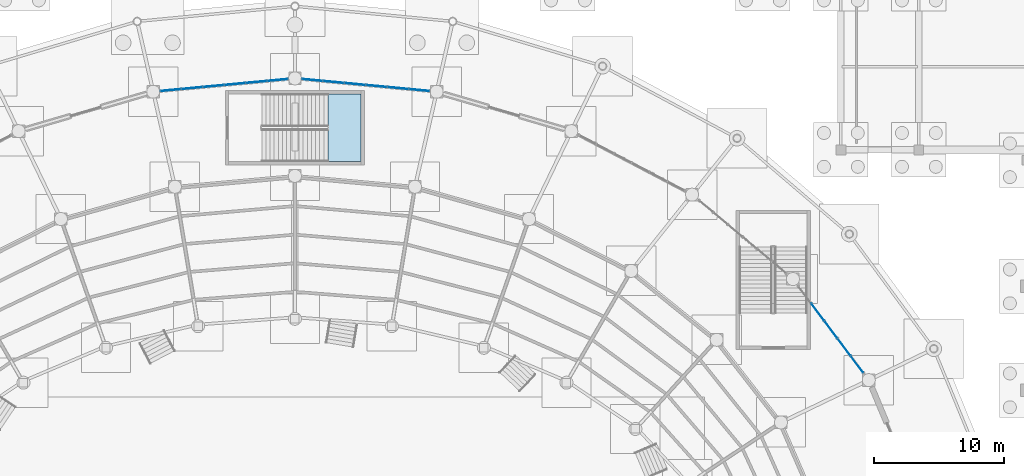
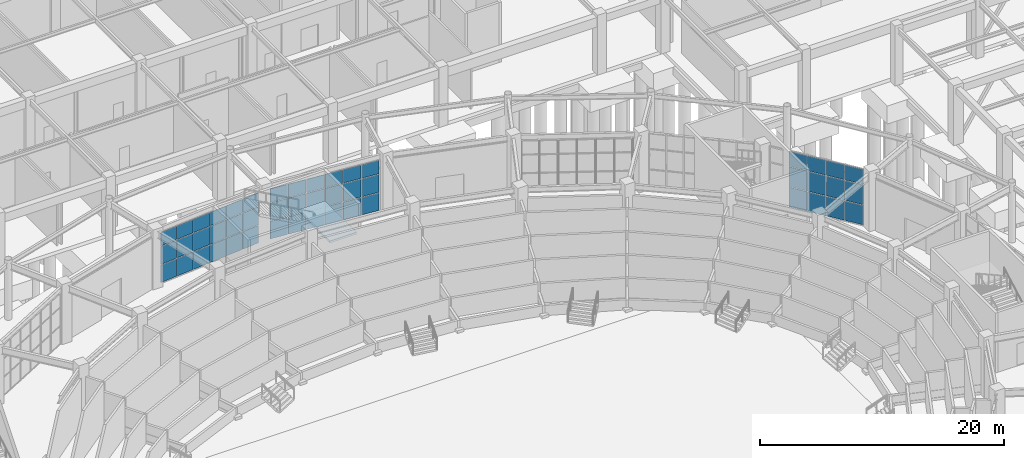
# One storey, part 72 of 121: 48 plates, 1 slab, 4 elements without a shape of their own.
"""IFC4 building model written with IfcOpenShell, lengths in metres."""

from ifc_helpers import new_model, si_unit, direction, frame, origin, origin_2d, place, context, subcontext, project, spatial, polyline, rectangle, outline, extrude, material, layer, layer_set, type_object, element, aggregate, save


model = new_model("IFC4")

# Units and contexts
model_context = context("Model", 3, precision=1e-05, world=origin(), true_north=direction((0.0, 1.0)))
body_context = subcontext(model_context, "Body", "Model", "MODEL_VIEW")
ifc_project = project(units=[si_unit("LENGTHUNIT", "METRE"), si_unit("AREAUNIT", "SQUARE_METRE"), si_unit("VOLUMEUNIT", "CUBIC_METRE"), si_unit("PLANEANGLEUNIT", "RADIAN"), si_unit("MASSUNIT", "GRAM", prefix="KILO")], contexts=[model_context])

# Site, building, storey
site_placement = place(None, origin())
site = spatial("IfcSite", under=ifc_project, at=site_placement, CompositionType="ELEMENT")
building_placement = place(site_placement, origin())
building = spatial("IfcBuilding", under=site, at=building_placement, Name="Cuetzalor Civic Arena", CompositionType="ELEMENT")
storey_placement = place(building_placement, origin())
storey = spatial("IfcBuildingStorey", under=building, at=storey_placement, Name="L00", CompositionType="ELEMENT", Elevation=0.0)

# Curtain wall, plates
ifc_material_1 = material(Name="Anodised dark bronze aluminium and low-E solar glass", Category="aluminium")
curtain_wall_type_1 = type_object("IfcCurtainWallType", Name="UnitisedCW_8450x5700", PredefinedType="USERDEFINED", material=ifc_material_1)
curtain_wall_1_placement = place(storey_placement, origin())
curtain_wall_1 = element("IfcCurtainWall", 1, at=curtain_wall_1_placement, inside=storey, type_object=curtain_wall_type_1, Name="Drum Ground Recessed Concourse Curtain Wall L00-002", ObjectType="UNITISED CURTAIN WALL", PredefinedType="USERDEFINED")
ifc_material_2 = material(Name="Acoustic laminated solar control glass", Category="glass")
ifc_layer_1 = layer(ifc_material_2, 0.0439453125)
ifc_layer_set_1 = layer_set([ifc_layer_1], Name="Acoustic laminated solar control glass")
plate_type = type_object("IfcPlateType", Name="AcousticTripleGlazedPanel_44", PredefinedType="CURTAIN_PANEL", material=ifc_layer_set_1)
plate_1_placement = place(storey_placement, frame((40.216552734375, 23.02392578125, 0.06982421875), z_axis=(0.0, 0.0, 1.0), x_axis=(0.600491594925, -0.799631067696, 0.0)))
plate_1 = element("IfcPlate", 2, at=plate_1_placement, type_object=plate_type, Name="CW-02 panel 2.1", PredefinedType="CURTAIN_PANEL", context=body_context, shape_type="SweptSolid", body=[
    extrude(rectangle(XDim=1.615478515625, YDim=0.0439453125, at=origin_2d()), origin(), (0.0, 0.0, 1.0), 1.947021484375),
])
plate_2_placement = place(storey_placement, frame((40.216552734375, 23.02392578125, 2.0869140625), z_axis=(0.0, 0.0, 1.0), x_axis=(0.600491594925, -0.799631067696, 0.0)))
plate_2 = element("IfcPlate", 3, at=plate_2_placement, type_object=plate_type, Name="CW-02 panel 2.2", PredefinedType="CURTAIN_PANEL", context=body_context, shape_type="SweptSolid", body=[
    extrude(rectangle(XDim=1.615478515625, YDim=0.0439453125, at=origin_2d()), origin(), (0.0, 0.0, 1.0), 1.98193359375),
])
plate_3_placement = place(storey_placement, frame((40.216552734375, 23.02392578125, 4.13916015625), z_axis=(0.0, 0.0, 1.0), x_axis=(0.600491594925, -0.799631067696, 0.0)))
plate_3 = element("IfcPlate", 4, at=plate_3_placement, type_object=plate_type, Name="CW-02 panel 2.3", PredefinedType="CURTAIN_PANEL", context=body_context, shape_type="SweptSolid", body=[
    extrude(rectangle(XDim=1.615478515625, YDim=0.0439453125, at=origin_2d()), origin(), (0.0, 0.0, 1.0), 1.490966796875),
])
plate_4_placement = place(storey_placement, frame((41.228515625, 21.67626953125, 0.06982421875), z_axis=(0.0, 0.0, 1.0), x_axis=(0.600491594925, -0.799631067696, 0.0)))
plate_4 = element("IfcPlate", 5, at=plate_4_placement, type_object=plate_type, Name="CW-02 panel 3.1", PredefinedType="CURTAIN_PANEL", context=body_context, shape_type="SweptSolid", body=[
    extrude(rectangle(XDim=1.615478515625, YDim=0.0439453125, at=origin_2d()), origin(), (0.0, 0.0, 1.0), 1.947021484375),
])
plate_5_placement = place(storey_placement, frame((41.228515625, 21.67626953125, 2.0869140625), z_axis=(0.0, 0.0, 1.0), x_axis=(0.600491594925, -0.799631067696, 0.0)))
plate_5 = element("IfcPlate", 6, at=plate_5_placement, type_object=plate_type, Name="CW-02 panel 3.2", PredefinedType="CURTAIN_PANEL", context=body_context, shape_type="SweptSolid", body=[
    extrude(rectangle(XDim=1.615478515625, YDim=0.0439453125, at=origin_2d()), origin(), (0.0, 0.0, 1.0), 1.98193359375),
])
plate_6_placement = place(storey_placement, frame((41.228515625, 21.67626953125, 4.13916015625), z_axis=(0.0, 0.0, 1.0), x_axis=(0.600491594925, -0.799631067696, 0.0)))
plate_6 = element("IfcPlate", 7, at=plate_6_placement, type_object=plate_type, Name="CW-02 panel 3.3", PredefinedType="CURTAIN_PANEL", context=body_context, shape_type="SweptSolid", body=[
    extrude(rectangle(XDim=1.615478515625, YDim=0.0439453125, at=origin_2d()), origin(), (0.0, 0.0, 1.0), 1.490966796875),
])
plate_7_placement = place(storey_placement, frame((42.24072265625, 20.328369140625, 0.06982421875), z_axis=(0.0, 0.0, 1.0), x_axis=(0.600491594925, -0.799631067696, 0.0)))
plate_7 = element("IfcPlate", 8, at=plate_7_placement, type_object=plate_type, Name="CW-02 panel 4.1", PredefinedType="CURTAIN_PANEL", context=body_context, shape_type="SweptSolid", body=[
    extrude(rectangle(XDim=1.615478515625, YDim=0.0439453125, at=origin_2d()), origin(), (0.0, 0.0, 1.0), 1.947021484375),
])
plate_8_placement = place(storey_placement, frame((42.24072265625, 20.328369140625, 2.0869140625), z_axis=(0.0, 0.0, 1.0), x_axis=(0.600491594925, -0.799631067696, 0.0)))
plate_8 = element("IfcPlate", 9, at=plate_8_placement, type_object=plate_type, Name="CW-02 panel 4.2", PredefinedType="CURTAIN_PANEL", context=body_context, shape_type="SweptSolid", body=[
    extrude(rectangle(XDim=1.615478515625, YDim=0.0439453125, at=origin_2d()), origin(), (0.0, 0.0, 1.0), 1.98193359375),
])
plate_9_placement = place(storey_placement, frame((42.24072265625, 20.328369140625, 4.13916015625), z_axis=(0.0, 0.0, 1.0), x_axis=(0.600491594925, -0.799631067696, 0.0)))
plate_9 = element("IfcPlate", 10, at=plate_9_placement, type_object=plate_type, Name="CW-02 panel 4.3", PredefinedType="CURTAIN_PANEL", context=body_context, shape_type="SweptSolid", body=[
    extrude(rectangle(XDim=1.615478515625, YDim=0.0439453125, at=origin_2d()), origin(), (0.0, 0.0, 1.0), 1.490966796875),
])
plate_10_placement = place(storey_placement, frame((43.242431640625, 18.994384765625, 0.06982421875), z_axis=(0.0, 0.0, 1.0), x_axis=(0.600491594925, -0.799631067696, 0.0)))
plate_10 = element("IfcPlate", 11, at=plate_10_placement, type_object=plate_type, Name="CW-02 panel 5.1", PredefinedType="CURTAIN_PANEL", context=body_context, shape_type="SweptSolid", body=[
    extrude(rectangle(XDim=1.58056640625, YDim=0.0439453125, at=origin_2d()), origin(), (0.0, 0.0, 1.0), 1.947021484375),
])
plate_11_placement = place(storey_placement, frame((43.242431640625, 18.994384765625, 2.0869140625), z_axis=(0.0, 0.0, 1.0), x_axis=(0.600491594925, -0.799631067696, 0.0)))
plate_11 = element("IfcPlate", 12, at=plate_11_placement, type_object=plate_type, Name="CW-02 panel 5.2", PredefinedType="CURTAIN_PANEL", context=body_context, shape_type="SweptSolid", body=[
    extrude(rectangle(XDim=1.58056640625, YDim=0.0439453125, at=origin_2d()), origin(), (0.0, 0.0, 1.0), 1.98193359375),
])
plate_12_placement = place(storey_placement, frame((43.242431640625, 18.994384765625, 4.13916015625), z_axis=(0.0, 0.0, 1.0), x_axis=(0.600491594925, -0.799631067696, 0.0)))
plate_12 = element("IfcPlate", 13, at=plate_12_placement, type_object=plate_type, Name="CW-02 panel 5.3", PredefinedType="CURTAIN_PANEL", context=body_context, shape_type="SweptSolid", body=[
    extrude(rectangle(XDim=1.58056640625, YDim=0.0439453125, at=origin_2d()), origin(), (0.0, 0.0, 1.0), 1.490966796875),
])
aggregate(curtain_wall_1, [plate_1, plate_2, plate_3, plate_4, plate_5, plate_6, plate_7, plate_8, plate_9, plate_10, plate_11, plate_12])

ifc_material_3 = material(Name="Anodised dark bronze aluminium and low-E solar glass", Category="aluminium")
curtain_wall_type_2 = type_object("IfcCurtainWallType", Name="UnitisedCW_9950x5150", PredefinedType="USERDEFINED", material=ifc_material_3)
curtain_wall_2_placement = place(storey_placement, origin())
curtain_wall_2 = element("IfcCurtainWall", 14, at=curtain_wall_2_placement, inside=storey, type_object=curtain_wall_type_2, Name="Drum Ground Recessed Concourse Curtain Wall L00-005", ObjectType="UNITISED CURTAIN WALL", PredefinedType="USERDEFINED")
plate_13_placement = place(storey_placement, frame((1.340576171875, 40.87353515625, 0.070068359375), z_axis=(0.0, 0.0, 1.0), x_axis=(0.995585155665, -0.093862654023, 0.0)))
plate_13 = element("IfcPlate", 15, at=plate_13_placement, type_object=plate_type, Name="CW-05 panel 1.1", PredefinedType="CURTAIN_PANEL", context=body_context, shape_type="SweptSolid", body=[
    extrude(rectangle(XDim=1.5537109375, YDim=0.0439453125, at=origin_2d()), origin(), (0.0, 0.0, 1.0), 1.751953125),
])
plate_14_placement = place(storey_placement, frame((1.340576171875, 40.87353515625, 1.89208984375), z_axis=(0.0, 0.0, 1.0), x_axis=(0.995585155665, -0.093862654023, 0.0)))
plate_14 = element("IfcPlate", 16, at=plate_14_placement, type_object=plate_type, Name="CW-05 panel 1.2", PredefinedType="CURTAIN_PANEL", context=body_context, shape_type="SweptSolid", body=[
    extrude(rectangle(XDim=1.5537109375, YDim=0.0439453125, at=origin_2d()), origin(), (0.0, 0.0, 1.0), 1.785888671875),
])
plate_15_placement = place(storey_placement, frame((1.340576171875, 40.87353515625, 3.748046875), z_axis=(0.0, 0.0, 1.0), x_axis=(0.995585155665, -0.093862654023, 0.0)))
plate_15 = element("IfcPlate", 17, at=plate_15_placement, type_object=plate_type, Name="CW-05 panel 1.3", PredefinedType="CURTAIN_PANEL", context=body_context, shape_type="SweptSolid", body=[
    extrude(rectangle(XDim=1.5537109375, YDim=0.0439453125, at=origin_2d()), origin(), (0.0, 0.0, 1.0), 1.339111328125),
])
plate_16_placement = place(storey_placement, frame((2.974609375, 40.719482421875, 0.070068359375), z_axis=(0.0, 0.0, 1.0), x_axis=(0.995585155665, -0.093862654023, 0.0)))
plate_16 = element("IfcPlate", 18, at=plate_16_placement, type_object=plate_type, Name="CW-05 panel 2.1", PredefinedType="CURTAIN_PANEL", context=body_context, shape_type="SweptSolid", body=[
    extrude(rectangle(XDim=1.5888671875, YDim=0.0439453125, at=origin_2d()), origin(), (0.0, 0.0, 1.0), 1.751953125),
])
plate_17_placement = place(storey_placement, frame((2.974609375, 40.719482421875, 1.89208984375), z_axis=(0.0, 0.0, 1.0), x_axis=(0.995585155665, -0.093862654023, 0.0)))
plate_17 = element("IfcPlate", 19, at=plate_17_placement, type_object=plate_type, Name="CW-05 panel 2.2", PredefinedType="CURTAIN_PANEL", context=body_context, shape_type="SweptSolid", body=[
    extrude(rectangle(XDim=1.5888671875, YDim=0.0439453125, at=origin_2d()), origin(), (0.0, 0.0, 1.0), 1.785888671875),
])
plate_18_placement = place(storey_placement, frame((2.974609375, 40.719482421875, 3.748046875), z_axis=(0.0, 0.0, 1.0), x_axis=(0.995585155665, -0.093862654023, 0.0)))
plate_18 = element("IfcPlate", 20, at=plate_18_placement, type_object=plate_type, Name="CW-05 panel 2.3", PredefinedType="CURTAIN_PANEL", context=body_context, shape_type="SweptSolid", body=[
    extrude(rectangle(XDim=1.5888671875, YDim=0.0439453125, at=origin_2d()), origin(), (0.0, 0.0, 1.0), 1.339111328125),
])
plate_19_placement = place(storey_placement, frame((4.6259765625, 40.56396484375, 0.070068359375), z_axis=(0.0, 0.0, 1.0), x_axis=(0.995585155665, -0.093862654023, 0.0)))
plate_19 = element("IfcPlate", 21, at=plate_19_placement, type_object=plate_type, Name="CW-05 panel 3.1", PredefinedType="CURTAIN_PANEL", context=body_context, shape_type="SweptSolid", body=[
    extrude(rectangle(XDim=1.5888671875, YDim=0.0439453125, at=origin_2d()), origin(), (0.0, 0.0, 1.0), 1.751953125),
])
plate_20_placement = place(storey_placement, frame((4.6259765625, 40.56396484375, 1.89208984375), z_axis=(0.0, 0.0, 1.0), x_axis=(0.995585155665, -0.093862654023, 0.0)))
plate_20 = element("IfcPlate", 22, at=plate_20_placement, type_object=plate_type, Name="CW-05 panel 3.2", PredefinedType="CURTAIN_PANEL", context=body_context, shape_type="SweptSolid", body=[
    extrude(rectangle(XDim=1.5888671875, YDim=0.0439453125, at=origin_2d()), origin(), (0.0, 0.0, 1.0), 1.785888671875),
])
plate_21_placement = place(storey_placement, frame((4.6259765625, 40.56396484375, 3.748046875), z_axis=(0.0, 0.0, 1.0), x_axis=(0.995585155665, -0.093862654023, 0.0)))
plate_21 = element("IfcPlate", 23, at=plate_21_placement, type_object=plate_type, Name="CW-05 panel 3.3", PredefinedType="CURTAIN_PANEL", context=body_context, shape_type="SweptSolid", body=[
    extrude(rectangle(XDim=1.5888671875, YDim=0.0439453125, at=origin_2d()), origin(), (0.0, 0.0, 1.0), 1.339111328125),
])
plate_22_placement = place(storey_placement, frame((6.277587890625, 40.408203125, 0.070068359375), z_axis=(0.0, 0.0, 1.0), x_axis=(0.995585155665, -0.093862654023, 0.0)))
plate_22 = element("IfcPlate", 24, at=plate_22_placement, type_object=plate_type, Name="CW-05 panel 4.1", PredefinedType="CURTAIN_PANEL", context=body_context, shape_type="SweptSolid", body=[
    extrude(rectangle(XDim=1.5888671875, YDim=0.0439453125, at=origin_2d()), origin(), (0.0, 0.0, 1.0), 1.751953125),
])
plate_23_placement = place(storey_placement, frame((6.277587890625, 40.408203125, 1.89208984375), z_axis=(0.0, 0.0, 1.0), x_axis=(0.995585155665, -0.093862654023, 0.0)))
plate_23 = element("IfcPlate", 25, at=plate_23_placement, type_object=plate_type, Name="CW-05 panel 4.2", PredefinedType="CURTAIN_PANEL", context=body_context, shape_type="SweptSolid", body=[
    extrude(rectangle(XDim=1.5888671875, YDim=0.0439453125, at=origin_2d()), origin(), (0.0, 0.0, 1.0), 1.785888671875),
])
plate_24_placement = place(storey_placement, frame((6.277587890625, 40.408203125, 3.748046875), z_axis=(0.0, 0.0, 1.0), x_axis=(0.995585155665, -0.093862654023, 0.0)))
plate_24 = element("IfcPlate", 26, at=plate_24_placement, type_object=plate_type, Name="CW-05 panel 4.3", PredefinedType="CURTAIN_PANEL", context=body_context, shape_type="SweptSolid", body=[
    extrude(rectangle(XDim=1.5888671875, YDim=0.0439453125, at=origin_2d()), origin(), (0.0, 0.0, 1.0), 1.339111328125),
])
plate_25_placement = place(storey_placement, frame((7.928955078125, 40.25244140625, 0.070068359375), z_axis=(0.0, 0.0, 1.0), x_axis=(0.995585155665, -0.093862654023, 0.0)))
plate_25 = element("IfcPlate", 27, at=plate_25_placement, type_object=plate_type, Name="CW-05 panel 5.1", PredefinedType="CURTAIN_PANEL", context=body_context, shape_type="SweptSolid", body=[
    extrude(rectangle(XDim=1.5888671875, YDim=0.0439453125, at=origin_2d()), origin(), (0.0, 0.0, 1.0), 1.751953125),
])
plate_26_placement = place(storey_placement, frame((7.928955078125, 40.25244140625, 1.89208984375), z_axis=(0.0, 0.0, 1.0), x_axis=(0.995585155665, -0.093862654023, 0.0)))
plate_26 = element("IfcPlate", 28, at=plate_26_placement, type_object=plate_type, Name="CW-05 panel 5.2", PredefinedType="CURTAIN_PANEL", context=body_context, shape_type="SweptSolid", body=[
    extrude(rectangle(XDim=1.5888671875, YDim=0.0439453125, at=origin_2d()), origin(), (0.0, 0.0, 1.0), 1.785888671875),
])
plate_27_placement = place(storey_placement, frame((7.928955078125, 40.25244140625, 3.748046875), z_axis=(0.0, 0.0, 1.0), x_axis=(0.995585155665, -0.093862654023, 0.0)))
plate_27 = element("IfcPlate", 29, at=plate_27_placement, type_object=plate_type, Name="CW-05 panel 5.3", PredefinedType="CURTAIN_PANEL", context=body_context, shape_type="SweptSolid", body=[
    extrude(rectangle(XDim=1.5888671875, YDim=0.0439453125, at=origin_2d()), origin(), (0.0, 0.0, 1.0), 1.339111328125),
])
plate_28_placement = place(storey_placement, frame((9.56298828125, 40.098388671875, 0.070068359375), z_axis=(0.0, 0.0, 1.0), x_axis=(0.995585155665, -0.093862654023, 0.0)))
plate_28 = element("IfcPlate", 30, at=plate_28_placement, type_object=plate_type, Name="CW-05 panel 6.1", PredefinedType="CURTAIN_PANEL", context=body_context, shape_type="SweptSolid", body=[
    extrude(rectangle(XDim=1.5537109375, YDim=0.0439453125, at=origin_2d()), origin(), (0.0, 0.0, 1.0), 1.751953125),
])
plate_29_placement = place(storey_placement, frame((9.56298828125, 40.098388671875, 1.89208984375), z_axis=(0.0, 0.0, 1.0), x_axis=(0.995585155665, -0.093862654023, 0.0)))
plate_29 = element("IfcPlate", 31, at=plate_29_placement, type_object=plate_type, Name="CW-05 panel 6.2", PredefinedType="CURTAIN_PANEL", context=body_context, shape_type="SweptSolid", body=[
    extrude(rectangle(XDim=1.5537109375, YDim=0.0439453125, at=origin_2d()), origin(), (0.0, 0.0, 1.0), 1.785888671875),
])
plate_30_placement = place(storey_placement, frame((9.56298828125, 40.098388671875, 3.748046875), z_axis=(0.0, 0.0, 1.0), x_axis=(0.995585155665, -0.093862654023, 0.0)))
plate_30 = element("IfcPlate", 32, at=plate_30_placement, type_object=plate_type, Name="CW-05 panel 6.3", PredefinedType="CURTAIN_PANEL", context=body_context, shape_type="SweptSolid", body=[
    extrude(rectangle(XDim=1.5537109375, YDim=0.0439453125, at=origin_2d()), origin(), (0.0, 0.0, 1.0), 1.339111328125),
])
aggregate(curtain_wall_2, [plate_13, plate_14, plate_15, plate_16, plate_17, plate_18, plate_19, plate_20, plate_21, plate_22, plate_23, plate_24, plate_25, plate_26, plate_27, plate_28, plate_29, plate_30])

curtain_wall_3_placement = place(storey_placement, origin())
curtain_wall_3 = element("IfcCurtainWall", 33, at=curtain_wall_3_placement, inside=storey, type_object=curtain_wall_type_2, Name="Drum Ground Recessed Concourse Curtain Wall L00-006", ObjectType="UNITISED CURTAIN WALL", PredefinedType="USERDEFINED")
plate_31_placement = place(storey_placement, frame((-9.56298828125, 40.098388671875, 0.070068359375), z_axis=(0.0, 0.0, 1.0), x_axis=(0.995585155665, 0.093862654023, 0.0)))
plate_31 = element("IfcPlate", 34, at=plate_31_placement, type_object=plate_type, Name="CW-05 panel 1.1", PredefinedType="CURTAIN_PANEL", context=body_context, shape_type="SweptSolid", body=[
    extrude(rectangle(XDim=1.5537109375, YDim=0.0439453125, at=origin_2d()), origin(), (0.0, 0.0, 1.0), 1.751953125),
])
plate_32_placement = place(storey_placement, frame((-9.56298828125, 40.098388671875, 1.89208984375), z_axis=(0.0, 0.0, 1.0), x_axis=(0.995585155665, 0.093862654023, 0.0)))
plate_32 = element("IfcPlate", 35, at=plate_32_placement, type_object=plate_type, Name="CW-05 panel 1.2", PredefinedType="CURTAIN_PANEL", context=body_context, shape_type="SweptSolid", body=[
    extrude(rectangle(XDim=1.5537109375, YDim=0.0439453125, at=origin_2d()), origin(), (0.0, 0.0, 1.0), 1.785888671875),
])
plate_33_placement = place(storey_placement, frame((-9.56298828125, 40.098388671875, 3.748046875), z_axis=(0.0, 0.0, 1.0), x_axis=(0.995585155665, 0.093862654023, 0.0)))
plate_33 = element("IfcPlate", 36, at=plate_33_placement, type_object=plate_type, Name="CW-05 panel 1.3", PredefinedType="CURTAIN_PANEL", context=body_context, shape_type="SweptSolid", body=[
    extrude(rectangle(XDim=1.5537109375, YDim=0.0439453125, at=origin_2d()), origin(), (0.0, 0.0, 1.0), 1.339111328125),
])
plate_34_placement = place(storey_placement, frame((-7.928955078125, 40.25244140625, 0.070068359375), z_axis=(0.0, 0.0, 1.0), x_axis=(0.995585155665, 0.093862654023, 0.0)))
plate_34 = element("IfcPlate", 37, at=plate_34_placement, type_object=plate_type, Name="CW-05 panel 2.1", PredefinedType="CURTAIN_PANEL", context=body_context, shape_type="SweptSolid", body=[
    extrude(rectangle(XDim=1.5888671875, YDim=0.0439453125, at=origin_2d()), origin(), (0.0, 0.0, 1.0), 1.751953125),
])
plate_35_placement = place(storey_placement, frame((-7.928955078125, 40.25244140625, 1.89208984375), z_axis=(0.0, 0.0, 1.0), x_axis=(0.995585155665, 0.093862654023, 0.0)))
plate_35 = element("IfcPlate", 38, at=plate_35_placement, type_object=plate_type, Name="CW-05 panel 2.2", PredefinedType="CURTAIN_PANEL", context=body_context, shape_type="SweptSolid", body=[
    extrude(rectangle(XDim=1.5888671875, YDim=0.0439453125, at=origin_2d()), origin(), (0.0, 0.0, 1.0), 1.785888671875),
])
plate_36_placement = place(storey_placement, frame((-7.928955078125, 40.25244140625, 3.748046875), z_axis=(0.0, 0.0, 1.0), x_axis=(0.995585155665, 0.093862654023, 0.0)))
plate_36 = element("IfcPlate", 39, at=plate_36_placement, type_object=plate_type, Name="CW-05 panel 2.3", PredefinedType="CURTAIN_PANEL", context=body_context, shape_type="SweptSolid", body=[
    extrude(rectangle(XDim=1.5888671875, YDim=0.0439453125, at=origin_2d()), origin(), (0.0, 0.0, 1.0), 1.339111328125),
])
plate_37_placement = place(storey_placement, frame((-6.277587890625, 40.408203125, 0.070068359375), z_axis=(0.0, 0.0, 1.0), x_axis=(0.995585155665, 0.093862654023, 0.0)))
plate_37 = element("IfcPlate", 40, at=plate_37_placement, type_object=plate_type, Name="CW-05 panel 3.1", PredefinedType="CURTAIN_PANEL", context=body_context, shape_type="SweptSolid", body=[
    extrude(rectangle(XDim=1.5888671875, YDim=0.0439453125, at=origin_2d()), origin(), (0.0, 0.0, 1.0), 1.751953125),
])
plate_38_placement = place(storey_placement, frame((-6.277587890625, 40.408203125, 1.89208984375), z_axis=(0.0, 0.0, 1.0), x_axis=(0.995585155665, 0.093862654023, 0.0)))
plate_38 = element("IfcPlate", 41, at=plate_38_placement, type_object=plate_type, Name="CW-05 panel 3.2", PredefinedType="CURTAIN_PANEL", context=body_context, shape_type="SweptSolid", body=[
    extrude(rectangle(XDim=1.5888671875, YDim=0.0439453125, at=origin_2d()), origin(), (0.0, 0.0, 1.0), 1.785888671875),
])
plate_39_placement = place(storey_placement, frame((-6.277587890625, 40.408203125, 3.748046875), z_axis=(0.0, 0.0, 1.0), x_axis=(0.995585155665, 0.093862654023, 0.0)))
plate_39 = element("IfcPlate", 42, at=plate_39_placement, type_object=plate_type, Name="CW-05 panel 3.3", PredefinedType="CURTAIN_PANEL", context=body_context, shape_type="SweptSolid", body=[
    extrude(rectangle(XDim=1.5888671875, YDim=0.0439453125, at=origin_2d()), origin(), (0.0, 0.0, 1.0), 1.339111328125),
])
plate_40_placement = place(storey_placement, frame((-4.6259765625, 40.56396484375, 0.070068359375), z_axis=(0.0, 0.0, 1.0), x_axis=(0.995585155665, 0.093862654023, 0.0)))
plate_40 = element("IfcPlate", 43, at=plate_40_placement, type_object=plate_type, Name="CW-05 panel 4.1", PredefinedType="CURTAIN_PANEL", context=body_context, shape_type="SweptSolid", body=[
    extrude(rectangle(XDim=1.5888671875, YDim=0.0439453125, at=origin_2d()), origin(), (0.0, 0.0, 1.0), 1.751953125),
])
plate_41_placement = place(storey_placement, frame((-4.6259765625, 40.56396484375, 1.89208984375), z_axis=(0.0, 0.0, 1.0), x_axis=(0.995585155665, 0.093862654023, 0.0)))
plate_41 = element("IfcPlate", 44, at=plate_41_placement, type_object=plate_type, Name="CW-05 panel 4.2", PredefinedType="CURTAIN_PANEL", context=body_context, shape_type="SweptSolid", body=[
    extrude(rectangle(XDim=1.5888671875, YDim=0.0439453125, at=origin_2d()), origin(), (0.0, 0.0, 1.0), 1.785888671875),
])
plate_42_placement = place(storey_placement, frame((-4.6259765625, 40.56396484375, 3.748046875), z_axis=(0.0, 0.0, 1.0), x_axis=(0.995585155665, 0.093862654023, 0.0)))
plate_42 = element("IfcPlate", 45, at=plate_42_placement, type_object=plate_type, Name="CW-05 panel 4.3", PredefinedType="CURTAIN_PANEL", context=body_context, shape_type="SweptSolid", body=[
    extrude(rectangle(XDim=1.5888671875, YDim=0.0439453125, at=origin_2d()), origin(), (0.0, 0.0, 1.0), 1.339111328125),
])
plate_43_placement = place(storey_placement, frame((-2.974609375, 40.719482421875, 0.070068359375), z_axis=(0.0, 0.0, 1.0), x_axis=(0.995585155665, 0.093862654023, 0.0)))
plate_43 = element("IfcPlate", 46, at=plate_43_placement, type_object=plate_type, Name="CW-05 panel 5.1", PredefinedType="CURTAIN_PANEL", context=body_context, shape_type="SweptSolid", body=[
    extrude(rectangle(XDim=1.5888671875, YDim=0.0439453125, at=origin_2d()), origin(), (0.0, 0.0, 1.0), 1.751953125),
])
plate_44_placement = place(storey_placement, frame((-2.974609375, 40.719482421875, 1.89208984375), z_axis=(0.0, 0.0, 1.0), x_axis=(0.995585155665, 0.093862654023, 0.0)))
plate_44 = element("IfcPlate", 47, at=plate_44_placement, type_object=plate_type, Name="CW-05 panel 5.2", PredefinedType="CURTAIN_PANEL", context=body_context, shape_type="SweptSolid", body=[
    extrude(rectangle(XDim=1.5888671875, YDim=0.0439453125, at=origin_2d()), origin(), (0.0, 0.0, 1.0), 1.785888671875),
])
plate_45_placement = place(storey_placement, frame((-2.974609375, 40.719482421875, 3.748046875), z_axis=(0.0, 0.0, 1.0), x_axis=(0.995585155665, 0.093862654023, 0.0)))
plate_45 = element("IfcPlate", 48, at=plate_45_placement, type_object=plate_type, Name="CW-05 panel 5.3", PredefinedType="CURTAIN_PANEL", context=body_context, shape_type="SweptSolid", body=[
    extrude(rectangle(XDim=1.5888671875, YDim=0.0439453125, at=origin_2d()), origin(), (0.0, 0.0, 1.0), 1.339111328125),
])
plate_46_placement = place(storey_placement, frame((-1.340576171875, 40.87353515625, 0.070068359375), z_axis=(0.0, 0.0, 1.0), x_axis=(0.995585155665, 0.093862654023, 0.0)))
plate_46 = element("IfcPlate", 49, at=plate_46_placement, type_object=plate_type, Name="CW-05 panel 6.1", PredefinedType="CURTAIN_PANEL", context=body_context, shape_type="SweptSolid", body=[
    extrude(rectangle(XDim=1.5537109375, YDim=0.0439453125, at=origin_2d()), origin(), (0.0, 0.0, 1.0), 1.751953125),
])
plate_47_placement = place(storey_placement, frame((-1.340576171875, 40.87353515625, 1.89208984375), z_axis=(0.0, 0.0, 1.0), x_axis=(0.995585155665, 0.093862654023, 0.0)))
plate_47 = element("IfcPlate", 50, at=plate_47_placement, type_object=plate_type, Name="CW-05 panel 6.2", PredefinedType="CURTAIN_PANEL", context=body_context, shape_type="SweptSolid", body=[
    extrude(rectangle(XDim=1.5537109375, YDim=0.0439453125, at=origin_2d()), origin(), (0.0, 0.0, 1.0), 1.785888671875),
])
plate_48_placement = place(storey_placement, frame((-1.340576171875, 40.87353515625, 3.748046875), z_axis=(0.0, 0.0, 1.0), x_axis=(0.995585155665, 0.093862654023, 0.0)))
plate_48 = element("IfcPlate", 51, at=plate_48_placement, type_object=plate_type, Name="CW-05 panel 6.3", PredefinedType="CURTAIN_PANEL", context=body_context, shape_type="SweptSolid", body=[
    extrude(rectangle(XDim=1.5537109375, YDim=0.0439453125, at=origin_2d()), origin(), (0.0, 0.0, 1.0), 1.339111328125),
])
aggregate(curtain_wall_3, [plate_31, plate_32, plate_33, plate_34, plate_35, plate_36, plate_37, plate_38, plate_39, plate_40, plate_41, plate_42, plate_43, plate_44, plate_45, plate_46, plate_47, plate_48])

# Stair, slab
ifc_material_4 = material(Name="Precast concrete C40/50", Category="concrete")
stair_type = type_object("IfcStairType", Name="EnclosedExitStair_H600", PredefinedType="HALF_TURN_STAIR", material=ifc_material_4)
stair_placement = place(storey_placement, origin())
stair = element("IfcStair", 52, at=stair_placement, inside=storey, type_object=stair_type, Name="L00 Enclosed Exit Stair ST-03", PredefinedType="HALF_TURN_STAIR")
ifc_material_5 = material(Name="Concrete C40/50", Category="concrete")
ifc_layer_2 = layer(ifc_material_5, 0.199951171875)
ifc_layer_set_2 = layer_set([ifc_layer_2], Name="Concrete C40/50")
slab_type = type_object("IfcSlabType", Name="StairHalfLandingSlab_200", PredefinedType="LANDING", material=ifc_layer_set_2)
slab_placement = place(storey_placement, frame((0.0, 0.0, 2.800048828125)))
slab = element("IfcSlab", 53, at=slab_placement, type_object=slab_type, Name="ST-03 landing 1", PredefinedType="LANDING", context=body_context, shape_type="SweptSolid", body=[
    extrude(outline(polyline([(2.5380859375, 34.60009765625), (5.10009765625, 34.60009765625), (5.10009765625, 39.800048828125), (2.5380859375, 39.800048828125), (2.5380859375, 34.60009765625)])), origin(), (0.0, 0.0, 1.0), 0.199951171875),
])
aggregate(stair, [slab])

save(model, "model.ifc")
